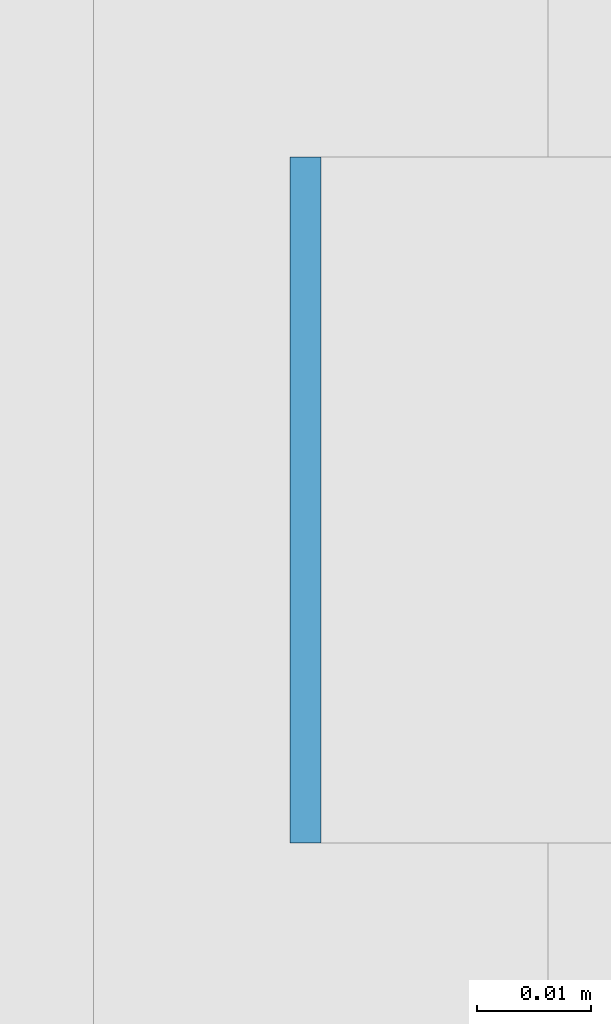
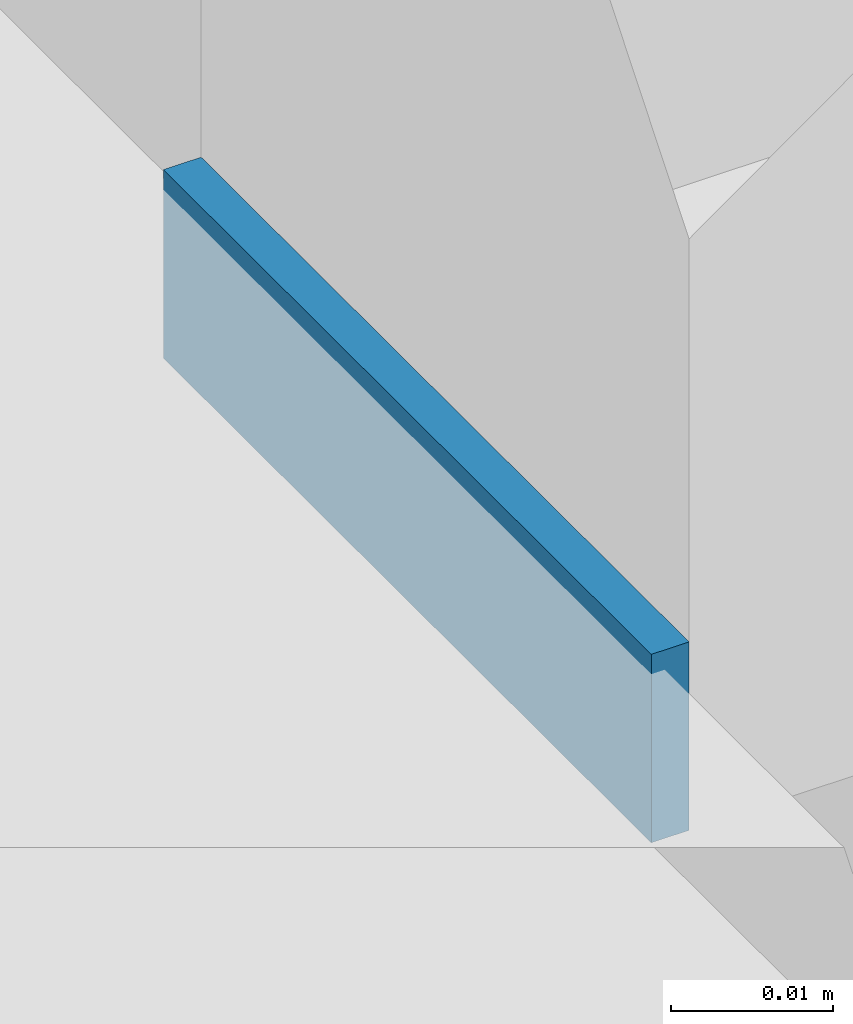
# One storey, part 480 of 646: 1 discrete accessory.
"""IFC4 building model written with IfcOpenShell, lengths in metres."""

from ifc_helpers import new_model, si_unit, direction, frame, origin, origin_2d, place, context, subcontext, project, spatial, rectangle, extrude, material, type_object, element, save


model = new_model("IFC4")

# Units and contexts
model_context = context("Model", 3, precision=1e-05, world=origin(), true_north=direction((0.0, 1.0)))
body_context = subcontext(model_context, "Body", "Model", "MODEL_VIEW")
ifc_project = project(units=[si_unit("LENGTHUNIT", "METRE"), si_unit("AREAUNIT", "SQUARE_METRE"), si_unit("VOLUMEUNIT", "CUBIC_METRE"), si_unit("PLANEANGLEUNIT", "RADIAN"), si_unit("MASSUNIT", "GRAM", prefix="KILO")], contexts=[model_context])

# Site, building, storey
site_placement = place(None, origin())
site = spatial("IfcSite", under=ifc_project, at=site_placement, CompositionType="ELEMENT")
building_placement = place(site_placement, origin())
building = spatial("IfcBuilding", under=site, at=building_placement, Name="Silverbay Arena", CompositionType="ELEMENT")
storey_placement = place(building_placement, frame((0.0, 0.0, 33.5)))
storey = spatial("IfcBuildingStorey", under=building, at=storey_placement, Name="L05", CompositionType="ELEMENT", Elevation=33.5)

# Discrete accessory
ifc_material = material(Name="Steel S355", Category="steel")
discrete_accessory_type = type_object("IfcDiscreteAccessoryType", Name="Steel bracket plate", PredefinedType="BRACKET", material=ifc_material)
discrete_accessory_placement = place(storey_placement, frame((207.128662109375, 55.28564453125, 4.0), z_axis=(0.0, 0.0, 1.0), x_axis=(1.0, 0.0, 0.0)))
element("IfcDiscreteAccessory", 1, at=discrete_accessory_placement, inside=storey, type_object=discrete_accessory_type, Name="Curtain wall packing plate", PredefinedType="BRACKET", context=body_context, shape_type="SweptSolid", body=[
    extrude(rectangle(XDim=0.002685546875, YDim=0.06005859375, at=origin_2d()), origin(), (0.0, 0.0, 1.0), 0.01416015625),
])

save(model, "model.ifc")
